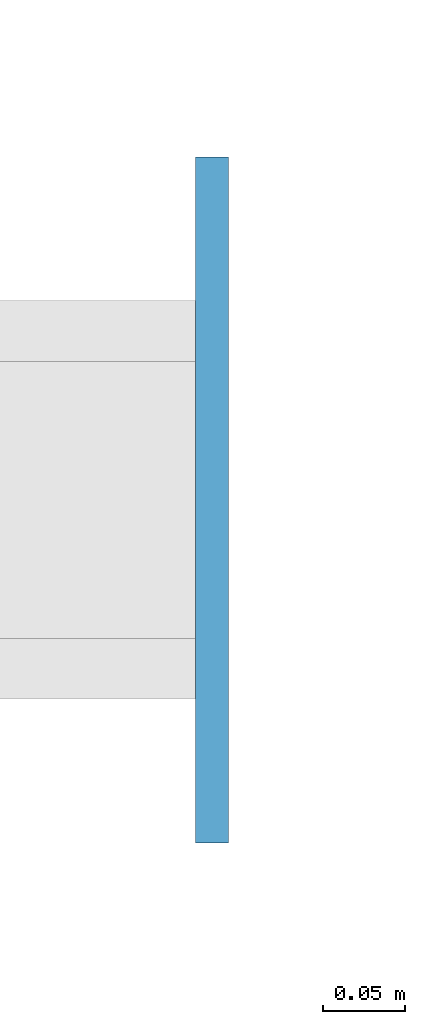
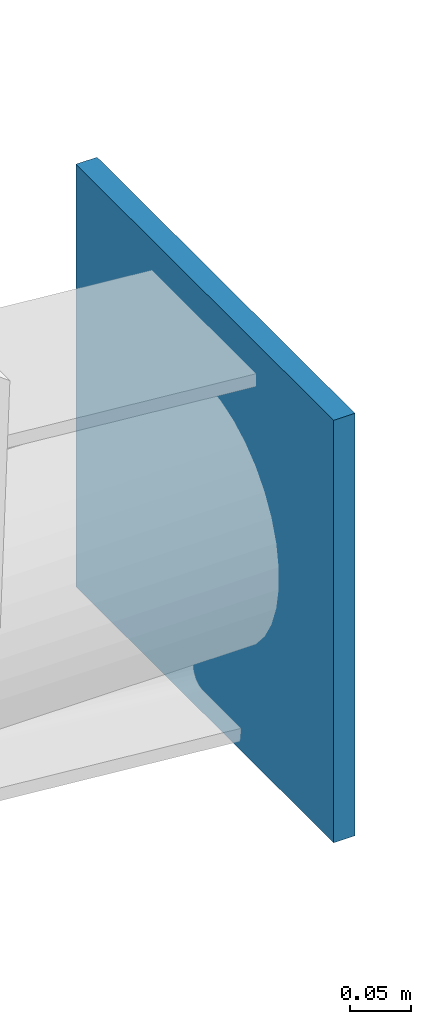
# One storey, part 25 of 41: 1 plate.
"""IFC4 building model written with IfcOpenShell, lengths in metres."""

from ifc_helpers import new_model, si_unit, direction, frame, origin, origin_2d, place, context, subcontext, project, spatial, rectangle, extrude, material, layer, layer_set, type_object, element, save


model = new_model("IFC4")

# Units and contexts
model_context = context("Model", 3, precision=1e-05, world=origin(), true_north=direction((0.0, 1.0)))
body_context = subcontext(model_context, "Body", "Model", "MODEL_VIEW")
ifc_project = project(units=[si_unit("LENGTHUNIT", "METRE"), si_unit("AREAUNIT", "SQUARE_METRE"), si_unit("VOLUMEUNIT", "CUBIC_METRE"), si_unit("PLANEANGLEUNIT", "RADIAN"), si_unit("MASSUNIT", "GRAM", prefix="KILO")], contexts=[model_context])

# Site, building, storey
site_placement = place(None, origin())
site = spatial("IfcSite", under=ifc_project, at=site_placement, CompositionType="ELEMENT")
building_placement = place(site_placement, origin())
building = spatial("IfcBuilding", under=site, at=building_placement, Name="Nabrawat Pavilion Hospital", CompositionType="ELEMENT")
storey_placement = place(building_placement, frame((0.0, 0.0, 18.89990234375)))
storey = spatial("IfcBuildingStorey", under=building, at=storey_placement, Name="L04", CompositionType="ELEMENT", Elevation=18.89990234375)

# Plate
ifc_material = material(Name="Steel S355", Category="steel")
ifc_layer = layer(ifc_material, 0.02001953125, Name="Steel S355")
ifc_layer_set = layer_set([ifc_layer], Name="Steel S355")
plate_type = type_object("IfcPlateType", Name="Space Frame Interior Gusset Node Plate 420x420x20", PredefinedType="USERDEFINED", material=ifc_layer_set)
plate_placement = place(storey_placement, frame((58.81005859375, 101.39990234375, -0.559814453125), z_axis=(0.0, 0.0, 1.0), x_axis=(1.0, 0.0, 0.0)))
element("IfcPlate", 1, at=plate_placement, inside=storey, type_object=plate_type, Name="Surgical East-North Pavilion Tie Chord End Cap Plate 02-E", ObjectType="GUSSET PLATE", PredefinedType="USERDEFINED", context=body_context, shape_type="SweptSolid", body=[
    extrude(rectangle(XDim=0.02001953125, YDim=0.419921875, at=origin_2d()), origin(), (0.0, 0.0, 1.0), 0.419921875),
])

save(model, "model.ifc")
